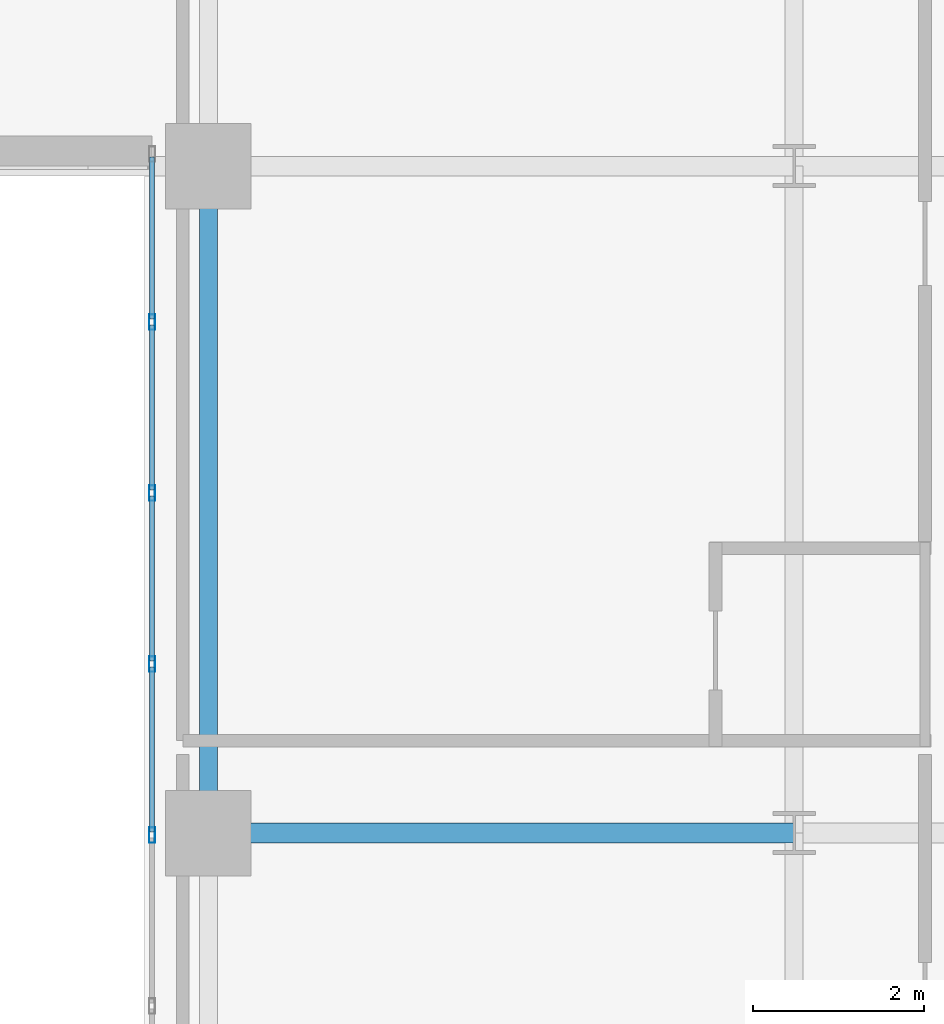
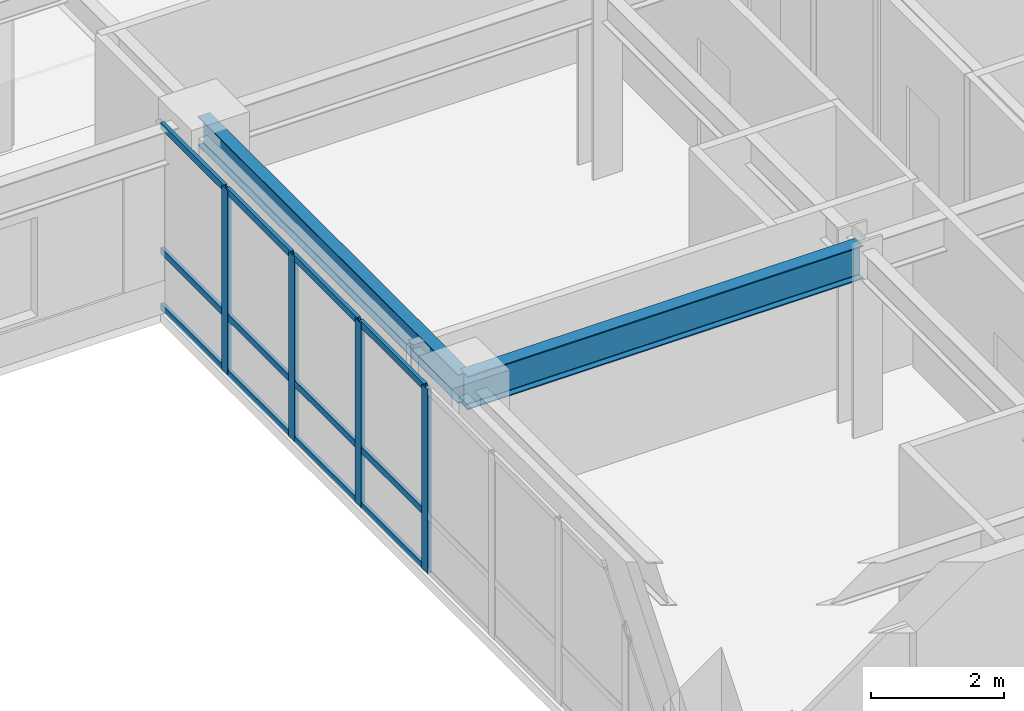
# One storey, part 9 of 24: 16 members, 2 beams, 1 element without a shape of its own.
"""IFC4 building model written with IfcOpenShell, lengths in metres."""

from ifc_helpers import new_model, si_unit, direction, frame, origin, origin_2d, place, context, subcontext, project, spatial, hollow_rectangle, i_section, extrude, source, transform, mapped, material, layer, layer_set, material_profile, profile_set, type_object, type_shapes, element, aggregate, save


model = new_model("IFC4")

# Units and contexts
model_context = context("Model", 3, precision=1e-05, world=origin(), true_north=direction((0.0, 1.0)))
body_context = subcontext(model_context, "Body", "Model", "MODEL_VIEW")
ifc_project = project(units=[si_unit("LENGTHUNIT", "METRE"), si_unit("AREAUNIT", "SQUARE_METRE"), si_unit("VOLUMEUNIT", "CUBIC_METRE"), si_unit("PLANEANGLEUNIT", "RADIAN"), si_unit("MASSUNIT", "GRAM", prefix="KILO")], contexts=[model_context])

# Site, building, storey
site_placement = place(None, origin())
site = spatial("IfcSite", under=ifc_project, at=site_placement, CompositionType="ELEMENT")
building_placement = place(site_placement, origin())
building = spatial("IfcBuilding", under=site, at=building_placement, Name="Tolvann Quenvar Hotel", CompositionType="ELEMENT")
storey_placement = place(building_placement, frame((0.0, 0.0, 67.5)))
storey = spatial("IfcBuildingStorey", under=building, at=storey_placement, Name="L16", CompositionType="ELEMENT", Elevation=67.5)

# Beams
ifc_material_1 = material(Name="Steel Grade 350", Category="steel")
ifc_material_profile_1 = material_profile(ifc_material_1, i_section(OverallWidth=0.22900390625, OverallDepth=0.612060546875, WebThickness=0.011962890625, FlangeThickness=0.01953125, FilletRadius=0.013916015625, at=origin_2d()), Name="610UB125")
ifc_profile_set_1 = profile_set([ifc_material_profile_1], Name="Steel Grade 350")
beam_type_1 = type_object("IfcBeamType", Name="BM_GIRD_610UB125", PredefinedType="BEAM", material=ifc_profile_set_1)
shared_shape_1 = source(origin(), body_context, "Body", "SweptSolid", [
    extrude(i_section(OverallWidth=0.22900390625, OverallDepth=0.612060546875, WebThickness=0.011962890625, FlangeThickness=0.01953125, FilletRadius=0.013916015625, at=origin_2d()), origin(), (0.0, 0.0, 1.0), 6.85009765625),
])
type_shapes(beam_type_1, [shared_shape_1])
beam_1_placement = place(storey_placement, frame((34.949951171875, 8.199951171875, 3.06396484375), z_axis=(1.0, 0.0, 0.0), x_axis=(0.0, 1.0, 0.0)))
element("IfcBeam", 1, at=beam_1_placement, inside=storey, type_object=beam_type_1, Name="BM-L16-EW-3-F3-H3", PredefinedType="BEAM", context=body_context, shape_type="MappedRepresentation", body=[
    mapped(shared_shape_1, transform((0.0, 0.0, 0.0), x_axis=(1.0, 0.0, 0.0), y_axis=(0.0, 1.0, 0.0), z_axis=(0.0, 0.0, 1.0), scale=1.0)),
])
ifc_material_profile_2 = material_profile(ifc_material_1, i_section(OverallWidth=0.208984375, OverallDepth=0.532958984375, WebThickness=0.01025390625, FlangeThickness=0.015625, FilletRadius=0.013916015625, at=origin_2d()), Name="530UB92")
ifc_profile_set_2 = profile_set([ifc_material_profile_2], Name="Steel Grade 350")
beam_type_2 = type_object("IfcBeamType", Name="BM_GIRD_530UB92", PredefinedType="BEAM", material=ifc_profile_set_2)
shared_shape_2 = source(origin(), body_context, "Body", "SweptSolid", [
    extrude(i_section(OverallWidth=0.208984375, OverallDepth=0.532958984375, WebThickness=0.01025390625, FlangeThickness=0.015625, FilletRadius=0.013916015625, at=origin_2d()), origin(), (0.0, 0.0, 1.0), 7.800048828125),
])
type_shapes(beam_type_2, [shared_shape_2])
beam_2_placement = place(storey_placement, frame((34.949951171875, 8.199951171875, 3.103515625), z_axis=(0.0, 1.0, 0.0), x_axis=(-1.0, 0.0, 0.0)))
element("IfcBeam", 2, at=beam_2_placement, inside=storey, type_object=beam_type_2, Name="BM-L16-NS-F3-F4", PredefinedType="BEAM", context=body_context, shape_type="MappedRepresentation", body=[
    mapped(shared_shape_2, transform((0.0, 0.0, 0.0), x_axis=(1.0, 0.0, 0.0), y_axis=(0.0, 1.0, 0.0), z_axis=(0.0, 0.0, 1.0), scale=1.0)),
])

# Curtain wall, members
ifc_material_2 = material(Name="Thermally broken anodised architectural aluminium 6063-T6 and laminated low-E glass", Category="aluminium")
ifc_layer = layer(ifc_material_2, 0.179931640625)
ifc_layer_set = layer_set([ifc_layer], Name="Thermally broken anodised architectural aluminium 6063-T6 and laminated low-E glass")
curtain_wall_type = type_object("IfcCurtainWallType", Name="CW_SYS_SLOT_03", PredefinedType="USERDEFINED", material=ifc_layer_set)
curtain_wall_placement = place(storey_placement, origin())
curtain_wall = element("IfcCurtainWall", 3, at=curtain_wall_placement, inside=storey, type_object=curtain_wall_type, Name="Curtain Wall CW-SLOT-03 (CWR-L16-E07)", ObjectType="UNITISED CURTAIN WALL", PredefinedType="USERDEFINED")
ifc_material_3 = material(Name="Anodised architectural aluminium 6063-T6 framing", Category="aluminium")
ifc_material_profile_3 = material_profile(ifc_material_3, hollow_rectangle(XDim=0.070068359375, YDim=0.179931640625, WallThickness=0.00390625, at=origin_2d()), Name="180x70x4RHS")
ifc_profile_set_3 = profile_set([ifc_material_profile_3], Name="Anodised architectural aluminium 6063-T6 framing")
member_type_1 = type_object("IfcMemberType", Name="CW_MULL_180x70", PredefinedType="MULLION", material=ifc_profile_set_3)
shared_shape_3 = source(origin(), body_context, "Body", "SweptSolid", [
    extrude(hollow_rectangle(XDim=0.070068359375, YDim=0.179931640625, WallThickness=0.00390625, at=origin_2d()), origin(), (0.0, 0.0, 1.0), 3.3701171875),
])
type_shapes(member_type_1, [shared_shape_3])
member_1_placement = place(storey_placement, frame((34.2900390625, 14.175048828125, 0.0), z_axis=(0.0, 0.0, 1.0), x_axis=(1.0, 0.0, 0.0)))
member_1 = element("IfcMember", 4, at=member_1_placement, type_object=member_type_1, Name="CW-SLOT-03 mullion 2", PredefinedType="MULLION", context=body_context, shape_type="MappedRepresentation", body=[
    mapped(shared_shape_3, transform((0.0, 0.0, 0.0), x_axis=(1.0, 0.0, 0.0), y_axis=(0.0, 1.0, 0.0), z_axis=(0.0, 0.0, 1.0), scale=1.0)),
])
member_2_placement = place(storey_placement, frame((34.2900390625, 12.175048828125, 0.0), z_axis=(0.0, 0.0, 1.0), x_axis=(1.0, 0.0, 0.0)))
member_2 = element("IfcMember", 5, at=member_2_placement, type_object=member_type_1, Name="CW-SLOT-03 mullion 3", PredefinedType="MULLION", context=body_context, shape_type="MappedRepresentation", body=[
    mapped(shared_shape_3, transform((0.0, 0.0, 0.0), x_axis=(1.0, 0.0, 0.0), y_axis=(0.0, 1.0, 0.0), z_axis=(0.0, 0.0, 1.0), scale=1.0)),
])
member_3_placement = place(storey_placement, frame((34.2900390625, 10.175048828125, 0.0), z_axis=(0.0, 0.0, 1.0), x_axis=(1.0, 0.0, 0.0)))
member_3 = element("IfcMember", 6, at=member_3_placement, type_object=member_type_1, Name="CW-SLOT-03 mullion 4", PredefinedType="MULLION", context=body_context, shape_type="MappedRepresentation", body=[
    mapped(shared_shape_3, transform((0.0, 0.0, 0.0), x_axis=(1.0, 0.0, 0.0), y_axis=(0.0, 1.0, 0.0), z_axis=(0.0, 0.0, 1.0), scale=1.0)),
])
member_4_placement = place(storey_placement, frame((34.2900390625, 8.175048828125, 0.0), z_axis=(0.0, 0.0, 1.0), x_axis=(1.0, 0.0, 0.0)))
member_4 = element("IfcMember", 7, at=member_4_placement, type_object=member_type_1, Name="CW-SLOT-03 mullion 5", PredefinedType="MULLION", context=body_context, shape_type="MappedRepresentation", body=[
    mapped(shared_shape_3, transform((0.0, 0.0, 0.0), x_axis=(1.0, 0.0, 0.0), y_axis=(0.0, 1.0, 0.0), z_axis=(0.0, 0.0, 1.0), scale=1.0)),
])
ifc_material_profile_4 = material_profile(ifc_material_3, hollow_rectangle(XDim=0.06005859375, YDim=0.1201171875, WallThickness=0.00341796875, at=origin_2d()), Name="120x60x3.5RHS")
ifc_profile_set_4 = profile_set([ifc_material_profile_4], Name="Anodised architectural aluminium 6063-T6 framing")
member_type_2 = type_object("IfcMemberType", Name="CW_TRAN_120x60", PredefinedType="USERDEFINED", material=ifc_profile_set_4)
shared_shape_4 = source(origin(), body_context, "Body", "SweptSolid", [
    extrude(hollow_rectangle(XDim=0.06005859375, YDim=0.1201171875, WallThickness=0.00341796875, at=origin_2d()), origin(), (0.0, 0.0, 1.0), 1.929931640625),
])
member_5_placement = place(storey_placement, frame((34.2900390625, 14.139892578125, 0.030029296875), z_axis=(0.0, -1.0, 0.0), x_axis=(1.0, 0.0, 0.0)))
member_5 = element("IfcMember", 8, at=member_5_placement, type_object=member_type_2, Name="CW-SLOT-03 transom 2.1", ObjectType="TRANSOM", PredefinedType="USERDEFINED", context=body_context, shape_type="MappedRepresentation", body=[
    mapped(shared_shape_4, transform((0.0, 0.0, 0.0), x_axis=(1.0, 0.0, 0.0), y_axis=(0.0, 1.0, 0.0), z_axis=(0.0, 0.0, 1.0), scale=1.0)),
])
member_6_placement = place(storey_placement, frame((34.2900390625, 14.139892578125, 1.050048828125), z_axis=(0.0, -1.0, 0.0), x_axis=(1.0, 0.0, 0.0)))
member_6 = element("IfcMember", 9, at=member_6_placement, type_object=member_type_2, Name="CW-SLOT-03 transom 2.2", ObjectType="TRANSOM", PredefinedType="USERDEFINED", context=body_context, shape_type="MappedRepresentation", body=[
    mapped(shared_shape_4, transform((0.0, 0.0, 0.0), x_axis=(1.0, 0.0, 0.0), y_axis=(0.0, 1.0, 0.0), z_axis=(0.0, 0.0, 1.0), scale=1.0)),
])
member_7_placement = place(storey_placement, frame((34.2900390625, 14.139892578125, 3.340087890625), z_axis=(0.0, -1.0, 0.0), x_axis=(1.0, 0.0, 0.0)))
member_7 = element("IfcMember", 10, at=member_7_placement, type_object=member_type_2, Name="CW-SLOT-03 transom 2.3", ObjectType="TRANSOM", PredefinedType="USERDEFINED", context=body_context, shape_type="MappedRepresentation", body=[
    mapped(shared_shape_4, transform((0.0, 0.0, 0.0), x_axis=(1.0, 0.0, 0.0), y_axis=(0.0, 1.0, 0.0), z_axis=(0.0, 0.0, 1.0), scale=1.0)),
])
member_8_placement = place(storey_placement, frame((34.2900390625, 12.139892578125, 0.030029296875), z_axis=(0.0, -1.0, 0.0), x_axis=(1.0, 0.0, 0.0)))
member_8 = element("IfcMember", 11, at=member_8_placement, type_object=member_type_2, Name="CW-SLOT-03 transom 3.1", ObjectType="TRANSOM", PredefinedType="USERDEFINED", context=body_context, shape_type="MappedRepresentation", body=[
    mapped(shared_shape_4, transform((0.0, 0.0, 0.0), x_axis=(1.0, 0.0, 0.0), y_axis=(0.0, 1.0, 0.0), z_axis=(0.0, 0.0, 1.0), scale=1.0)),
])
member_9_placement = place(storey_placement, frame((34.2900390625, 12.139892578125, 1.050048828125), z_axis=(0.0, -1.0, 0.0), x_axis=(1.0, 0.0, 0.0)))
member_9 = element("IfcMember", 12, at=member_9_placement, type_object=member_type_2, Name="CW-SLOT-03 transom 3.2", ObjectType="TRANSOM", PredefinedType="USERDEFINED", context=body_context, shape_type="MappedRepresentation", body=[
    mapped(shared_shape_4, transform((0.0, 0.0, 0.0), x_axis=(1.0, 0.0, 0.0), y_axis=(0.0, 1.0, 0.0), z_axis=(0.0, 0.0, 1.0), scale=1.0)),
])
member_10_placement = place(storey_placement, frame((34.2900390625, 12.139892578125, 3.340087890625), z_axis=(0.0, -1.0, 0.0), x_axis=(1.0, 0.0, 0.0)))
member_10 = element("IfcMember", 13, at=member_10_placement, type_object=member_type_2, Name="CW-SLOT-03 transom 3.3", ObjectType="TRANSOM", PredefinedType="USERDEFINED", context=body_context, shape_type="MappedRepresentation", body=[
    mapped(shared_shape_4, transform((0.0, 0.0, 0.0), x_axis=(1.0, 0.0, 0.0), y_axis=(0.0, 1.0, 0.0), z_axis=(0.0, 0.0, 1.0), scale=1.0)),
])
member_11_placement = place(storey_placement, frame((34.2900390625, 10.139892578125, 0.030029296875), z_axis=(0.0, -1.0, 0.0), x_axis=(1.0, 0.0, 0.0)))
member_11 = element("IfcMember", 14, at=member_11_placement, type_object=member_type_2, Name="CW-SLOT-03 transom 4.1", ObjectType="TRANSOM", PredefinedType="USERDEFINED", context=body_context, shape_type="MappedRepresentation", body=[
    mapped(shared_shape_4, transform((0.0, 0.0, 0.0), x_axis=(1.0, 0.0, 0.0), y_axis=(0.0, 1.0, 0.0), z_axis=(0.0, 0.0, 1.0), scale=1.0)),
])
member_12_placement = place(storey_placement, frame((34.2900390625, 10.139892578125, 1.050048828125), z_axis=(0.0, -1.0, 0.0), x_axis=(1.0, 0.0, 0.0)))
member_12 = element("IfcMember", 15, at=member_12_placement, type_object=member_type_2, Name="CW-SLOT-03 transom 4.2", ObjectType="TRANSOM", PredefinedType="USERDEFINED", context=body_context, shape_type="MappedRepresentation", body=[
    mapped(shared_shape_4, transform((0.0, 0.0, 0.0), x_axis=(1.0, 0.0, 0.0), y_axis=(0.0, 1.0, 0.0), z_axis=(0.0, 0.0, 1.0), scale=1.0)),
])
member_13_placement = place(storey_placement, frame((34.2900390625, 10.139892578125, 3.340087890625), z_axis=(0.0, -1.0, 0.0), x_axis=(1.0, 0.0, 0.0)))
member_13 = element("IfcMember", 16, at=member_13_placement, type_object=member_type_2, Name="CW-SLOT-03 transom 4.3", ObjectType="TRANSOM", PredefinedType="USERDEFINED", context=body_context, shape_type="MappedRepresentation", body=[
    mapped(shared_shape_4, transform((0.0, 0.0, 0.0), x_axis=(1.0, 0.0, 0.0), y_axis=(0.0, 1.0, 0.0), z_axis=(0.0, 0.0, 1.0), scale=1.0)),
])
shared_shape_5 = source(origin(), body_context, "Body", "SweptSolid", [
    extrude(hollow_rectangle(XDim=0.06005859375, YDim=0.1201171875, WallThickness=0.00341796875, at=origin_2d()), origin(), (0.0, 0.0, 1.0), 1.89501953125),
])
type_shapes(member_type_2, [shared_shape_4, shared_shape_5])
member_14_placement = place(storey_placement, frame((34.2900390625, 16.10498046875, 0.030029296875), z_axis=(0.0, -1.0, 0.0), x_axis=(1.0, 0.0, 0.0)))
member_14 = element("IfcMember", 17, at=member_14_placement, type_object=member_type_2, Name="CW-SLOT-03 transom 1.1", ObjectType="TRANSOM", PredefinedType="USERDEFINED", context=body_context, shape_type="MappedRepresentation", body=[
    mapped(shared_shape_5, transform((0.0, 0.0, 0.0), x_axis=(1.0, 0.0, 0.0), y_axis=(0.0, 1.0, 0.0), z_axis=(0.0, 0.0, 1.0), scale=1.0)),
])
member_15_placement = place(storey_placement, frame((34.2900390625, 16.10498046875, 1.050048828125), z_axis=(0.0, -1.0, 0.0), x_axis=(1.0, 0.0, 0.0)))
member_15 = element("IfcMember", 18, at=member_15_placement, type_object=member_type_2, Name="CW-SLOT-03 transom 1.2", ObjectType="TRANSOM", PredefinedType="USERDEFINED", context=body_context, shape_type="MappedRepresentation", body=[
    mapped(shared_shape_5, transform((0.0, 0.0, 0.0), x_axis=(1.0, 0.0, 0.0), y_axis=(0.0, 1.0, 0.0), z_axis=(0.0, 0.0, 1.0), scale=1.0)),
])
member_16_placement = place(storey_placement, frame((34.2900390625, 16.10498046875, 3.340087890625), z_axis=(0.0, -1.0, 0.0), x_axis=(1.0, 0.0, 0.0)))
member_16 = element("IfcMember", 19, at=member_16_placement, type_object=member_type_2, Name="CW-SLOT-03 transom 1.3", ObjectType="TRANSOM", PredefinedType="USERDEFINED", context=body_context, shape_type="MappedRepresentation", body=[
    mapped(shared_shape_5, transform((0.0, 0.0, 0.0), x_axis=(1.0, 0.0, 0.0), y_axis=(0.0, 1.0, 0.0), z_axis=(0.0, 0.0, 1.0), scale=1.0)),
])
aggregate(curtain_wall, [member_1, member_2, member_3, member_4, member_14, member_15, member_16, member_5, member_6, member_7, member_8, member_9, member_10, member_11, member_12, member_13])

save(model, "model.ifc")
